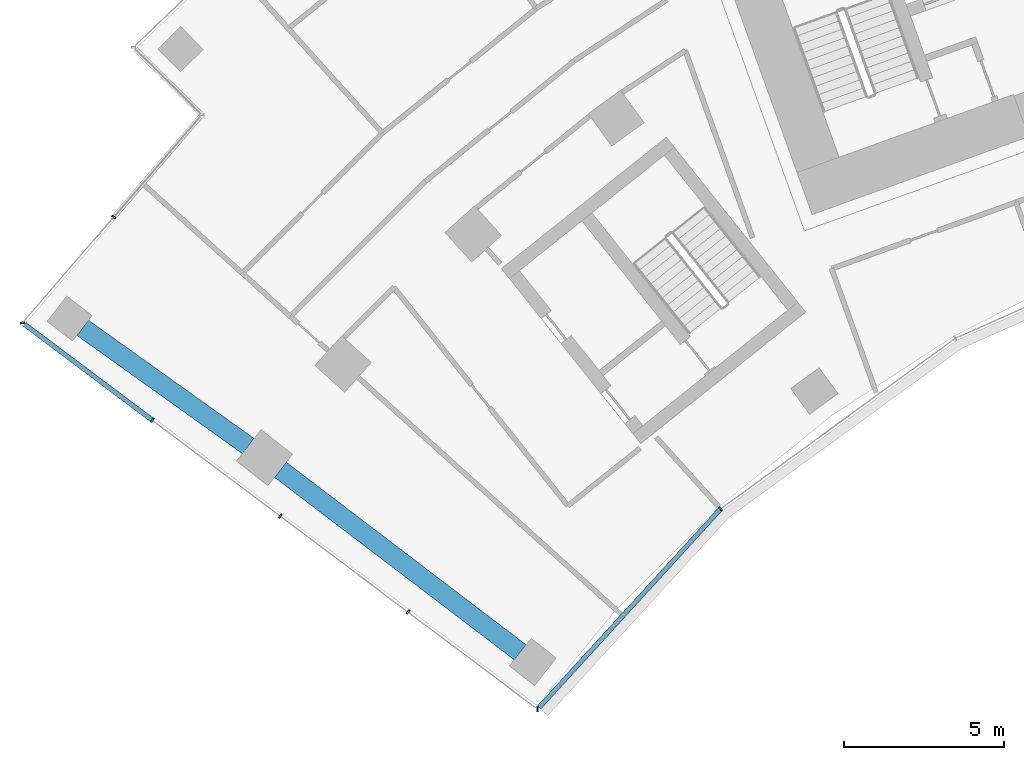
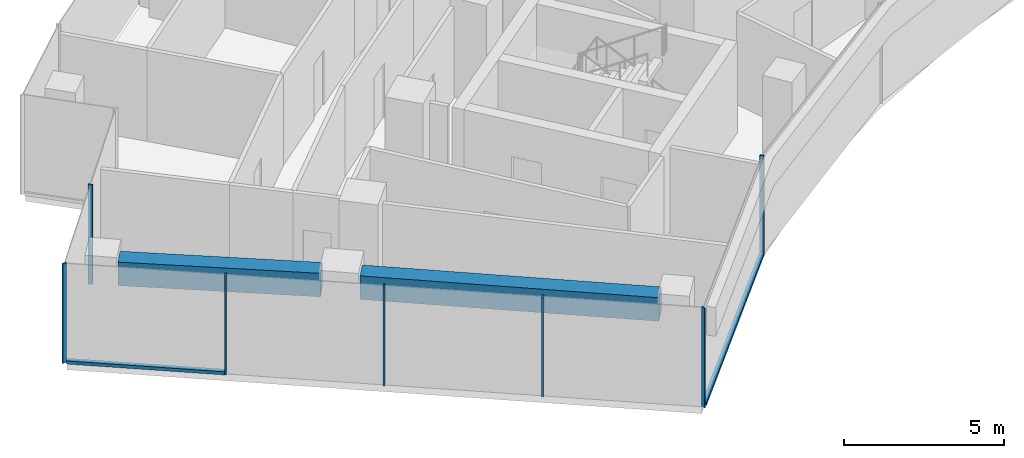
# One storey, part 2 of 21: 9 members, 2 beams, 3 elements without a shape of their own.
"""IFC4 building model written with IfcOpenShell, lengths in metres."""

from ifc_helpers import new_model, si_unit, direction, frame, origin, origin_2d, place, context, subcontext, project, spatial, rectangle, extrude, material, layer, layer_set, material_profile, profile_set, type_object, element, aggregate, save


model = new_model("IFC4")

# Units and contexts
model_context = context("Model", 3, precision=1e-05, world=origin(), true_north=direction((0.0, 1.0)))
body_context = subcontext(model_context, "Body", "Model", "MODEL_VIEW")
ifc_project = project(units=[si_unit("LENGTHUNIT", "METRE"), si_unit("AREAUNIT", "SQUARE_METRE"), si_unit("VOLUMEUNIT", "CUBIC_METRE"), si_unit("PLANEANGLEUNIT", "RADIAN"), si_unit("MASSUNIT", "GRAM", prefix="KILO")], contexts=[model_context])

# Site, building, storey
site_placement = place(None, origin())
site = spatial("IfcSite", under=ifc_project, at=site_placement, CompositionType="ELEMENT")
building_placement = place(site_placement, origin())
building = spatial("IfcBuilding", under=site, at=building_placement, Name="Stone Belt Terrace Tower", CompositionType="ELEMENT")
storey_placement = place(building_placement, frame((0.0, 0.0, 151.60009765625)))
storey = spatial("IfcBuildingStorey", under=building, at=storey_placement, Name="L36", CompositionType="ELEMENT", Elevation=151.60009765625)

# Curtain wall, members
ifc_material_1 = material(Name="Aluminium 6063-T6 anodised frame", Category="aluminium")
ifc_layer_1 = layer(ifc_material_1, 0.14990234375)
ifc_layer_set_1 = layer_set([ifc_layer_1], Name="CW-B unitised concave-face curtain wall")
curtain_wall_type_1 = type_object("IfcCurtainWallType", Name="CW-B unitised concave-face curtain wall", PredefinedType="NOTDEFINED", material=ifc_layer_set_1)
curtain_wall_1_placement = place(storey_placement, origin())
curtain_wall_1 = element("IfcCurtainWall", 1, at=curtain_wall_1_placement, inside=storey, type_object=curtain_wall_type_1, Name="CW-B concave face L36", PredefinedType="NOTDEFINED")
ifc_material_profile_1 = material_profile(ifc_material_1, rectangle(XDim=0.14990234375, YDim=0.050048828125, at=origin_2d()), Name="Aluminium 6063-T6 50x150")
ifc_profile_set_1 = profile_set([ifc_material_profile_1], Name="Aluminium 6063-T6 anodised frame")
member_type_1 = type_object("IfcMemberType", Name="CW-B mullion 50 x 150", PredefinedType="MULLION", material=ifc_profile_set_1)
member_1_placement = place(storey_placement, frame((-34.7900390625, 26.0, 0.0), z_axis=(0.0, 0.0, 1.0), x_axis=(-0.093180581986, 0.995649224949, 0.0)))
member_1 = element("IfcMember", 2, at=member_1_placement, type_object=member_type_1, Name="CW-B mullion 1", PredefinedType="MULLION", context=body_context, shape_type="SweptSolid", body=[
    extrude(rectangle(XDim=0.14990234375, YDim=0.050048828125, at=origin_2d()), origin(), (0.0, 0.0, 1.0), 3.7998046875),
])
member_2_placement = place(storey_placement, frame((-29.056884765625, 32.2705078125, 0.0), z_axis=(0.0, 0.0, 1.0), x_axis=(-0.666300886777, 0.745682994496, 0.0)))
member_2 = element("IfcMember", 3, at=member_2_placement, type_object=member_type_1, Name="CW-B mullion 2", PredefinedType="MULLION", context=body_context, shape_type="SweptSolid", body=[
    extrude(rectangle(XDim=0.14990234375, YDim=0.050048828125, at=origin_2d()), origin(), (0.0, 0.0, 1.0), 3.7998046875),
])
ifc_material_profile_2 = material_profile(ifc_material_1, rectangle(XDim=0.14990234375, YDim=0.1201171875, at=origin_2d()), Name="Aluminium 6063-T6 150x120")
ifc_profile_set_2 = profile_set([ifc_material_profile_2], Name="Aluminium 6063-T6 anodised frame")
member_type_2 = type_object("IfcMemberType", Name="CW-B transom 120 x 150", PredefinedType="USERDEFINED", material=ifc_profile_set_2)
member_3_placement = place(storey_placement, frame((-34.743408203125, 26.05078125, 0.059814453125), z_axis=(0.674757432231, 0.738039570517, 0.0), x_axis=(-0.738039570517, 0.674757432231, 0.0)))
member_3 = element("IfcMember", 4, at=member_3_placement, type_object=member_type_2, Name="CW-B transom 1.1", ObjectType="TRANSOM", PredefinedType="USERDEFINED", context=body_context, shape_type="SweptSolid", body=[
    extrude(rectangle(XDim=0.14990234375, YDim=0.1201171875, at=origin_2d()), origin(), (0.0, 0.0, 1.0), 8.39501953125),
])
aggregate(curtain_wall_1, [member_1, member_2, member_3])

# Curtain wall, member
ifc_layer_2 = layer(ifc_material_1, 0.14990234375)
ifc_layer_set_2 = layer_set([ifc_layer_2], Name="CW-C stick curtain wall, horn ends and notches")
curtain_wall_type_2 = type_object("IfcCurtainWallType", Name="CW-C stick curtain wall, horn ends and notches", PredefinedType="NOTDEFINED", material=ifc_layer_set_2)
curtain_wall_2_placement = place(storey_placement, origin())
curtain_wall_2 = element("IfcCurtainWall", 5, at=curtain_wall_2_placement, inside=storey, type_object=curtain_wall_type_2, Name="CW-C notch face L36", PredefinedType="NOTDEFINED")
ifc_material_profile_3 = material_profile(ifc_material_1, rectangle(XDim=0.14990234375, YDim=0.06005859375, at=origin_2d()), Name="Aluminium 6063-T6 60x150")
ifc_profile_set_3 = profile_set([ifc_material_profile_3], Name="Aluminium 6063-T6 anodised frame")
member_type_3 = type_object("IfcMemberType", Name="CW-C mullion 60 x 150", PredefinedType="MULLION", material=ifc_profile_set_3)
member_4_placement = place(storey_placement, frame((-48.05322265625, 41.40283203125, 0.0), z_axis=(0.0, 0.0, 1.0), x_axis=(0.757583847343, -0.652737860281, 0.0)))
member_4 = element("IfcMember", 6, at=member_4_placement, type_object=member_type_3, Name="CW-C mullion 2", PredefinedType="MULLION", context=body_context, shape_type="SweptSolid", body=[
    extrude(rectangle(XDim=0.14990234375, YDim=0.06005859375, at=origin_2d()), origin(), (0.0, 0.0, 1.0), 3.7998046875),
])
aggregate(curtain_wall_2, [member_4])

# Curtain wall, members
curtain_wall_3_placement = place(storey_placement, origin())
curtain_wall_3 = element("IfcCurtainWall", 7, at=curtain_wall_3_placement, inside=storey, type_object=curtain_wall_type_2, Name="CW-C end face L36", PredefinedType="NOTDEFINED")
member_5_placement = place(storey_placement, frame((-50.908447265625, 38.08935546875, 0.0), z_axis=(0.0, 0.0, 1.0), x_axis=(0.994169356535, 0.107829914807, 0.0)))
member_5 = element("IfcMember", 8, at=member_5_placement, type_object=member_type_3, Name="CW-C mullion 1", PredefinedType="MULLION", context=body_context, shape_type="SweptSolid", body=[
    extrude(rectangle(XDim=0.14990234375, YDim=0.06005859375, at=origin_2d()), origin(), (0.0, 0.0, 1.0), 3.7998046875),
])
member_6_placement = place(storey_placement, frame((-46.84423828125, 35.041015625, 0.0), z_axis=(0.0, 0.0, 1.0), x_axis=(0.600017992436, 0.799986505357, 0.0)))
member_6 = element("IfcMember", 9, at=member_6_placement, type_object=member_type_3, Name="CW-C mullion 2", PredefinedType="MULLION", context=body_context, shape_type="SweptSolid", body=[
    extrude(rectangle(XDim=0.14990234375, YDim=0.06005859375, at=origin_2d()), origin(), (0.0, 0.0, 1.0), 3.7998046875),
])
member_7_placement = place(storey_placement, frame((-42.84423828125, 32.041015625, 0.0), z_axis=(0.0, 0.0, 1.0), x_axis=(0.600017992436, 0.799986505357, 0.0)))
member_7 = element("IfcMember", 10, at=member_7_placement, type_object=member_type_3, Name="CW-C mullion 3", PredefinedType="MULLION", context=body_context, shape_type="SweptSolid", body=[
    extrude(rectangle(XDim=0.14990234375, YDim=0.06005859375, at=origin_2d()), origin(), (0.0, 0.0, 1.0), 3.7998046875),
])
member_8_placement = place(storey_placement, frame((-38.84423828125, 29.040771484375, 0.0), z_axis=(0.0, 0.0, 1.0), x_axis=(0.600017992436, 0.799986505357, 0.0)))
member_8 = element("IfcMember", 11, at=member_8_placement, type_object=member_type_3, Name="CW-C mullion 4", PredefinedType="MULLION", context=body_context, shape_type="SweptSolid", body=[
    extrude(rectangle(XDim=0.14990234375, YDim=0.06005859375, at=origin_2d()), origin(), (0.0, 0.0, 1.0), 3.7998046875),
])
ifc_material_profile_4 = material_profile(ifc_material_1, rectangle(XDim=0.14990234375, YDim=0.1201171875, at=origin_2d()), Name="Aluminium 6063-T6 150x120")
ifc_profile_set_4 = profile_set([ifc_material_profile_4], Name="Aluminium 6063-T6 anodised frame")
member_type_4 = type_object("IfcMemberType", Name="CW-C transom 120 x 150", PredefinedType="USERDEFINED", material=ifc_profile_set_4)
member_9_placement = place(storey_placement, frame((-50.84814453125, 38.044189453125, 0.059814453125), z_axis=(0.799988222323, -0.600015703248, 0.0), x_axis=(0.600015703248, 0.799988222323, 0.0)))
member_9 = element("IfcMember", 12, at=member_9_placement, type_object=member_type_4, Name="CW-C transom 1.1", ObjectType="TRANSOM", PredefinedType="USERDEFINED", context=body_context, shape_type="SweptSolid", body=[
    extrude(rectangle(XDim=0.14990234375, YDim=0.1201171875, at=origin_2d()), origin(), (0.0, 0.0, 1.0), 4.97509765625),
])
aggregate(curtain_wall_3, [member_5, member_6, member_7, member_8, member_9])

# Beams
ifc_material_2 = material(Name="Concrete B60", Category="concrete")
ifc_material_profile_5 = material_profile(ifc_material_2, rectangle(XDim=0.60009765625, YDim=0.89990234375, at=origin_2d()), Name="RC 600x900")
ifc_profile_set_5 = profile_set([ifc_material_profile_5], Name="Concrete B60")
beam_type = type_object("IfcBeamType", Name="Edge beam RC 600x900 B60", PredefinedType="SPANDREL", material=ifc_profile_set_5)
beam_1_placement = place(storey_placement, frame((-35.33203125, 27.779541015625, 3.02978515625), z_axis=(-0.795702028976, 0.605688270552, 0.0), x_axis=(-0.605688270552, -0.795702028976, 0.0)))
element("IfcBeam", 13, at=beam_1_placement, inside=storey, type_object=beam_type, Name="Edge beam L36 A P to Q", PredefinedType="SPANDREL", context=body_context, shape_type="SweptSolid", body=[
    extrude(rectangle(XDim=0.60009765625, YDim=0.89990234375, at=origin_2d()), origin(), (0.0, 0.0, 1.0), 9.430908203125),
])
beam_2_placement = place(storey_placement, frame((-43.842529296875, 34.23388671875, 3.02978515625), z_axis=(-0.813774908454, 0.581180177201, 0.0), x_axis=(-0.581180177201, -0.813774908454, 0.0)))
element("IfcBeam", 14, at=beam_2_placement, inside=storey, type_object=beam_type, Name="Edge beam L36 A Q to R", PredefinedType="SPANDREL", context=body_context, shape_type="SweptSolid", body=[
    extrude(rectangle(XDim=0.60009765625, YDim=0.89990234375, at=origin_2d()), origin(), (0.0, 0.0, 1.0), 6.369140625),
])

save(model, "model.ifc")
